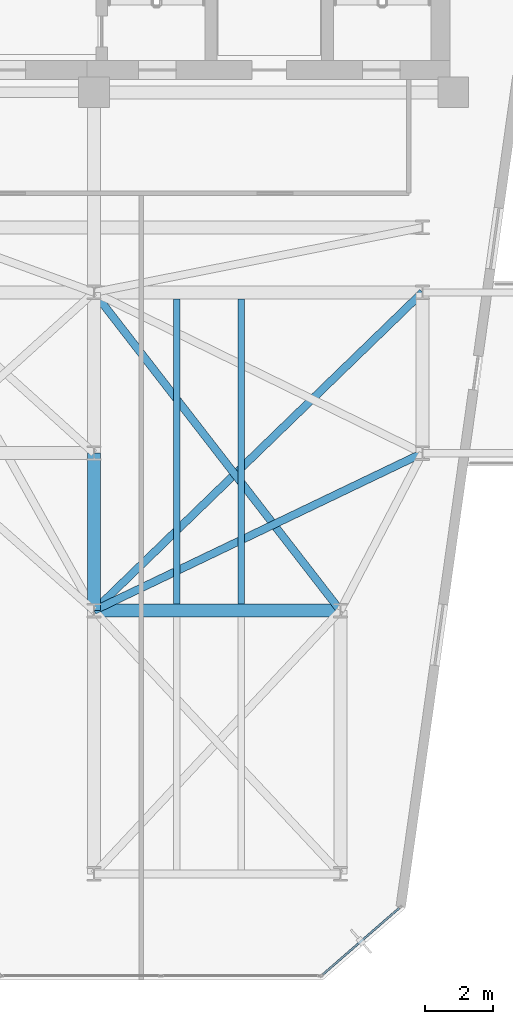
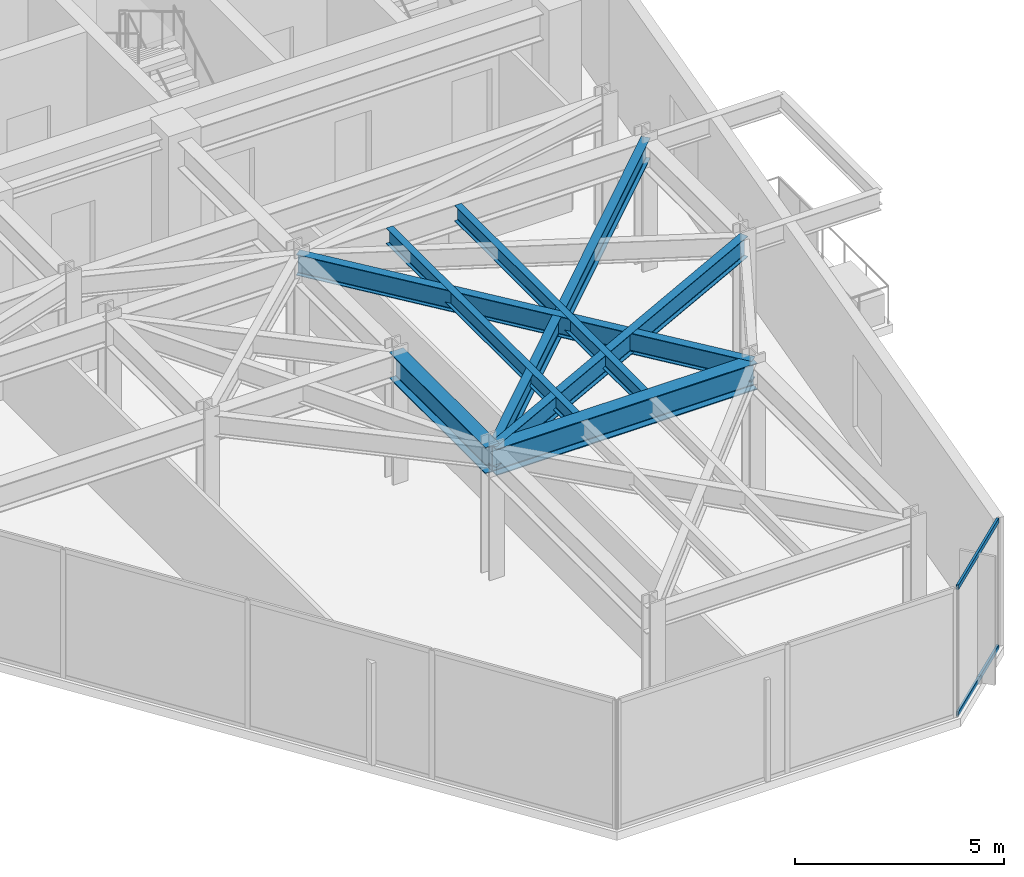
# One storey, part 19 of 27: 7 beams, 2 members, 1 element without a shape of its own.
"""IFC4 building model written with IfcOpenShell, lengths in metres."""

from ifc_helpers import new_model, si_unit, direction, frame, origin, origin_2d, place, context, subcontext, project, spatial, hollow_rectangle, i_section, extrude, material, layer, layer_set, material_profile, profile_set, type_object, element, aggregate, save


model = new_model("IFC4")

# Units and contexts
model_context = context("Model", 3, precision=1e-05, world=origin(), true_north=direction((0.0, 1.0)))
body_context = subcontext(model_context, "Body", "Model", "MODEL_VIEW")
ifc_project = project(units=[si_unit("LENGTHUNIT", "METRE"), si_unit("AREAUNIT", "SQUARE_METRE"), si_unit("VOLUMEUNIT", "CUBIC_METRE"), si_unit("PLANEANGLEUNIT", "RADIAN"), si_unit("MASSUNIT", "GRAM", prefix="KILO")], contexts=[model_context])

# Site, building, storey
site_placement = place(None, origin())
site = spatial("IfcSite", under=ifc_project, at=site_placement, CompositionType="ELEMENT")
building_placement = place(site_placement, origin())
building = spatial("IfcBuilding", under=site, at=building_placement, Name="Kravanh Interchange Tower", CompositionType="ELEMENT")
storey_placement = place(building_placement, frame((0.0, 0.0, 188.5)))
storey = spatial("IfcBuildingStorey", under=building, at=storey_placement, Name="L45", CompositionType="ELEMENT", Elevation=188.5)

# Curtain wall, members
ifc_material_1 = material(Name="Anodised Bronze Aluminium", Category="aluminium")
ifc_layer = layer(ifc_material_1, 0.179931640625)
ifc_layer_set = layer_set([ifc_layer], Name="Unitised Curtain Wall System CW-Z3 Upper Office")
curtain_wall_type = type_object("IfcCurtainWallType", Name="Unitised Curtain Wall System CW-Z3 Upper Office", PredefinedType="NOTDEFINED", material=ifc_layer_set)
curtain_wall_placement = place(storey_placement, origin())
curtain_wall = element("IfcCurtainWall", 1, at=curtain_wall_placement, inside=storey, type_object=curtain_wall_type, Name="L45 Unitised Curtain Wall CW-L45-02", PredefinedType="NOTDEFINED")
ifc_material_2 = material(Name="Anodised Bronze Aluminium", Category="aluminium")
ifc_material_profile_1 = material_profile(ifc_material_2, hollow_rectangle(XDim=0.06005859375, YDim=0.139892578125, WallThickness=0.00390625, at=origin_2d()), Name="ALU60X140X4")
ifc_profile_set_1 = profile_set([ifc_material_profile_1], Name="Anodised Bronze Aluminium")
member_type = type_object("IfcMemberType", Name="Curtain Wall Transom ALU60X140X4 Bronze", PredefinedType="USERDEFINED", material=ifc_profile_set_1)
member_1_placement = place(storey_placement, frame((64.92041015625, 13.501220703125, 0.030029296875), z_axis=(-0.754744002238, -0.656019428893, 0.0), x_axis=(0.656019428893, -0.754744002238, 0.0)))
member_1 = element("IfcMember", 2, at=member_1_placement, type_object=member_type, Name="CW-Z3 transom 1.1", ObjectType="TRANSOM", PredefinedType="USERDEFINED", context=body_context, shape_type="SweptSolid", body=[
    extrude(hollow_rectangle(XDim=0.06005859375, YDim=0.139892578125, WallThickness=0.00390625, at=origin_2d()), origin(), (0.0, 0.0, 1.0), 2.960205078125),
])
member_2_placement = place(storey_placement, frame((64.92041015625, 13.501220703125, 3.72509765625), z_axis=(-0.754744002238, -0.656019428893, 0.0), x_axis=(0.656019428893, -0.754744002238, 0.0)))
member_2 = element("IfcMember", 3, at=member_2_placement, type_object=member_type, Name="CW-Z3 transom 1.2", ObjectType="TRANSOM", PredefinedType="USERDEFINED", context=body_context, shape_type="SweptSolid", body=[
    extrude(hollow_rectangle(XDim=0.06005859375, YDim=0.139892578125, WallThickness=0.00390625, at=origin_2d()), origin(), (0.0, 0.0, 1.0), 2.960205078125),
])
aggregate(curtain_wall, [member_1, member_2])

# Beams
ifc_material_3 = material(Name="Structural Steel S355", Category="steel")
ifc_material_profile_2 = material_profile(ifc_material_3, i_section(OverallWidth=0.381103515625, OverallDepth=0.77294921875, WebThickness=0.0166015625, FlangeThickness=0.027099609375, FilletRadius=0.02490234375, at=origin_2d()), Name="W30X173")
ifc_profile_set_2 = profile_set([ifc_material_profile_2], Name="Structural Steel S355")
beam_type_1 = type_object("IfcBeamType", Name="Floor Beam W30X173 Structural Steel S355", PredefinedType="BEAM", material=ifc_profile_set_2)
beam_1_placement = place(storey_placement, frame((56.0, 26.800048828125, 3.368408203125), z_axis=(0.0, -1.0, 0.0), x_axis=(1.0, 0.0, 0.0)))
element("IfcBeam", 4, at=beam_1_placement, inside=storey, type_object=beam_type_1, Name="L45 Primary Floor Girder 53", PredefinedType="BEAM", context=body_context, shape_type="SweptSolid", body=[
    extrude(i_section(OverallWidth=0.381103515625, OverallDepth=0.77294921875, WebThickness=0.0166015625, FlangeThickness=0.027099609375, FilletRadius=0.02490234375, at=origin_2d()), origin(), (0.0, 0.0, 1.0), 4.60009765625),
])
beam_2_placement = place(storey_placement, frame((56.0, 22.199951171875, 3.368408203125), z_axis=(1.0, 0.0, 0.0), x_axis=(0.0, 1.0, 0.0)))
element("IfcBeam", 5, at=beam_2_placement, inside=storey, type_object=beam_type_1, Name="L45 Primary Floor Girder 92", PredefinedType="BEAM", context=body_context, shape_type="SweptSolid", body=[
    extrude(i_section(OverallWidth=0.381103515625, OverallDepth=0.77294921875, WebThickness=0.0166015625, FlangeThickness=0.027099609375, FilletRadius=0.02490234375, at=origin_2d()), origin(), (0.0, 0.0, 1.0), 7.199951171875),
])
ifc_material_4 = material(Name="Structural Steel S355", Category="steel")
ifc_material_profile_3 = material_profile(ifc_material_4, i_section(OverallWidth=0.18994140625, OverallDepth=0.45703125, WebThickness=0.009033203125, FlangeThickness=0.014404296875, FilletRadius=0.01806640625, at=origin_2d()), Name="W18X50")
ifc_profile_set_3 = profile_set([ifc_material_profile_3], Name="Structural Steel S355")
beam_type_2 = type_object("IfcBeamType", Name="Floor Joist W18X50 Structural Steel S355", PredefinedType="JOIST", material=ifc_profile_set_3)
for number, where, z_axis, x_axis, name in (
    (6, (58.419921875, 22.385498046875, 3.526611328125), (0.0, 1.0, 0.0), (-1.0, 0.0, 0.0), "L45 Secondary Floor Joist 7"),
    (7, (60.30810546875, 22.385498046875, 3.526611328125), (0.0, 1.0, 0.0), (-1.0, 0.0, 0.0), "L45 Secondary Floor Joist 8"),
):
    element("IfcBeam", number, at=place(storey_placement, frame(where, z_axis=z_axis, x_axis=x_axis)), inside=storey, type_object=beam_type_2, Name=name, PredefinedType="JOIST", context=body_context, shape_type="SweptSolid", body=[
        extrude(i_section(OverallWidth=0.18994140625, OverallDepth=0.45703125, WebThickness=0.009033203125, FlangeThickness=0.014404296875, FilletRadius=0.01806640625, at=origin_2d()), origin(), (0.0, 0.0, 1.0), 8.928955078125),
    ])
ifc_material_5 = material(Name="Structural Steel S355", Category="steel")
ifc_material_profile_4 = material_profile(ifc_material_5, i_section(OverallWidth=0.22802734375, OverallDepth=0.60791015625, WebThickness=0.01123046875, FlangeThickness=0.017333984375, FilletRadius=0.02197265625, at=origin_2d()), Name="W24X76")
ifc_profile_set_4 = profile_set([ifc_material_profile_4], Name="Structural Steel S355")
beam_type_3 = type_object("IfcBeamType", Name="Floor Spandrel W24X76 Structural Steel S355", PredefinedType="SPANDREL", material=ifc_profile_set_4)
beam_3_placement = place(storey_placement, frame((65.60009765625, 26.800048828125, 3.450927734375), z_axis=(-0.901814166789, -0.432124066188, 0.0), x_axis=(0.432124066188, -0.901814166789, 0.0)))
element("IfcBeam", 8, at=beam_3_placement, inside=storey, type_object=beam_type_3, Name="L45 Perimeter Spandrel 59", PredefinedType="SPANDREL", context=body_context, shape_type="SweptSolid", body=[
    extrude(i_section(OverallWidth=0.22802734375, OverallDepth=0.60791015625, WebThickness=0.01123046875, FlangeThickness=0.017333984375, FilletRadius=0.02197265625, at=origin_2d()), origin(), (0.0, 0.0, 1.0), 10.645263671875),
])
beam_4_placement = place(storey_placement, frame((56.0, 31.5, 3.450927734375), z_axis=(0.612168587637, -0.790727273028, 0.0), x_axis=(0.790727273028, 0.612168587637, 0.0)))
element("IfcBeam", 9, at=beam_4_placement, inside=storey, type_object=beam_type_3, Name="L45 Perimeter Spandrel 83", PredefinedType="SPANDREL", context=body_context, shape_type="SweptSolid", body=[
    extrude(i_section(OverallWidth=0.22802734375, OverallDepth=0.60791015625, WebThickness=0.01123046875, FlangeThickness=0.017333984375, FilletRadius=0.02197265625, at=origin_2d()), origin(), (0.0, 0.0, 1.0), 11.761474609375),
])
beam_5_placement = place(storey_placement, frame((65.60009765625, 31.5, 3.450927734375), z_axis=(-0.718241934329, -0.695793449072, 0.0), x_axis=(0.695793449072, -0.718241934329, 0.0)))
element("IfcBeam", 10, at=beam_5_placement, inside=storey, type_object=beam_type_3, Name="L45 Perimeter Spandrel 85", PredefinedType="SPANDREL", context=body_context, shape_type="SweptSolid", body=[
    extrude(i_section(OverallWidth=0.22802734375, OverallDepth=0.60791015625, WebThickness=0.01123046875, FlangeThickness=0.017333984375, FilletRadius=0.02197265625, at=origin_2d()), origin(), (0.0, 0.0, 1.0), 13.3662109375),
])

save(model, "model.ifc")
